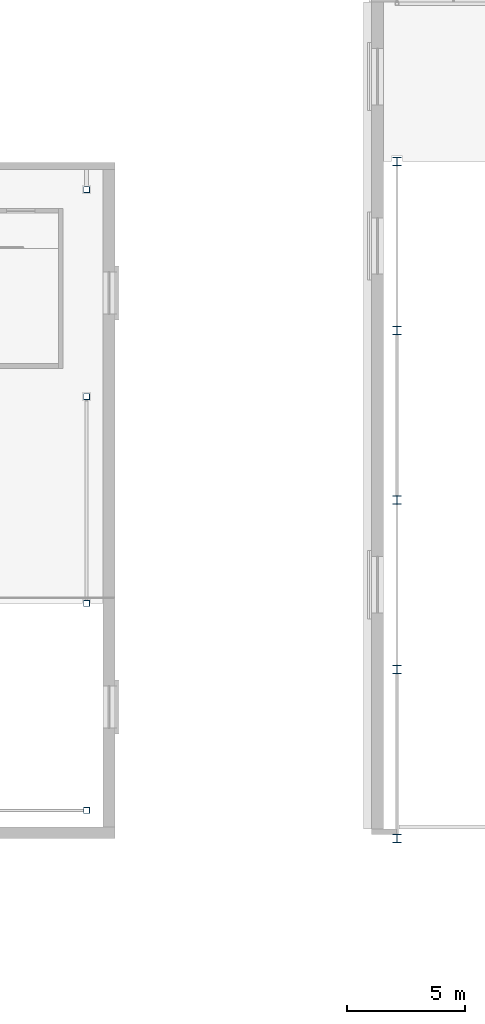
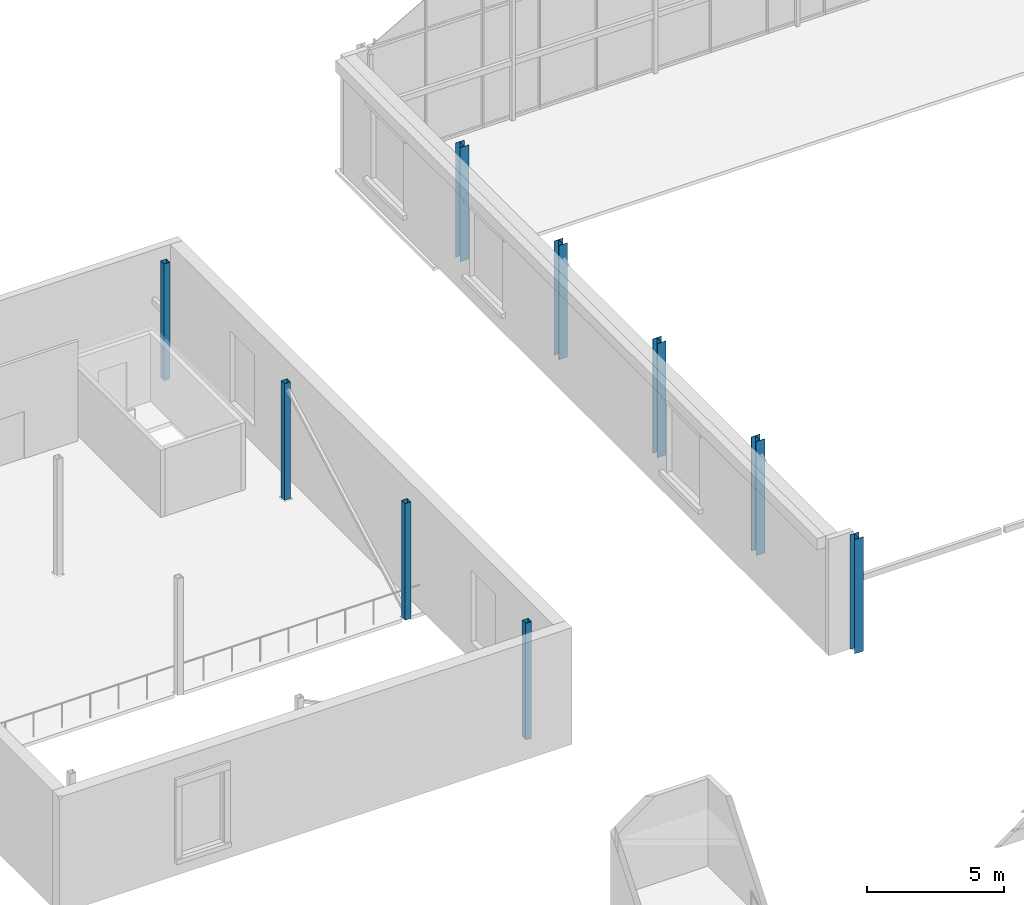
# One storey, part 9 of 93: 9 columns.
"""IFC4 building model written with IfcOpenShell, lengths in metres."""

import ifcopenshell
import ifcopenshell.guid

model = None  # the IFC model being written
_history = None  # IfcOwnerHistory: only IFC2X3 demands one
_inside = {}  # id of a spatial element -> (the spatial element, [elements in it])
_under = {}  # id of a project, library or spatial element -> (it, [spatial elements below it])
_declared = {}  # id of a project -> (the project, [libraries it declares])
_typed = {}  # id of a type object -> (the type object, [elements of that type])
_made_of = {}  # id of a material, layer set ... -> (it, [elements and type objects made of it])


def new_model(schema):
    """Start an empty IFC model of exactly this schema.

    Asked for "IFC4X3", IfcOpenShell would pick the latest addendum, in which some entities
    have other attributes; the version numbers below select the first issue.
    IFC2X3 requires an IfcOwnerHistory on every rooted entity: one is made here for all.
    """
    global model, _history
    if schema == "IFC4X3":
        model = ifcopenshell.file(schema_version=(4, 3, 0, 0))
    else:
        model = ifcopenshell.file(schema=schema)
    _inside.clear()
    _under.clear()
    _declared.clear()
    _typed.clear()
    _made_of.clear()
    _history = None
    if model.schema == "IFC2X3":
        org = make("IfcOrganization", Name="unknown")
        user = make(
            "IfcPersonAndOrganization",
            ThePerson=make("IfcPerson", FamilyName="unknown"),
            TheOrganization=org,
        )
        app = make(
            "IfcApplication",
            ApplicationDeveloper=org,
            Version="unknown",
            ApplicationFullName="unknown",
            ApplicationIdentifier="unknown",
        )
        _history = make(
            "IfcOwnerHistory",
            OwningUser=user,
            OwningApplication=app,
            ChangeAction="ADDED",
            CreationDate=0,
        )
    return model


def make(cls, **values):
    """One entity of the class cls with the attributes given. An attribute that is None is left unset."""
    return model.create_entity(
        cls, **{name: value for name, value in values.items() if value is not None}
    )


def rooted(cls, **values):
    """An entity with a GlobalId (a new one), such as an element, a storey or a relation."""
    return make(cls, GlobalId=ifcopenshell.guid.new(), OwnerHistory=_history, **values)


def si_unit(unit_type, name, prefix=None):
    """IfcSIUnit, for example si_unit("LENGTHUNIT", "METRE", prefix="MILLI")."""
    return make("IfcSIUnit", UnitType=unit_type, Prefix=prefix, Name=name)


def assignment(units):
    """IfcUnitAssignment: the units of a project."""
    return None if units is None else make("IfcUnitAssignment", Units=units)


def point(xyz):
    """IfcCartesianPoint."""
    return None if xyz is None else make("IfcCartesianPoint", Coordinates=xyz)


def direction(xyz):
    """IfcDirection."""
    return None if xyz is None else make("IfcDirection", DirectionRatios=xyz)


def frame(location, z_axis=None, x_axis=None):
    """IfcAxis2Placement3D, a coordinate frame: its origin and axes. An axis left out is left unset."""
    return make(
        "IfcAxis2Placement3D",
        Location=point(location),
        Axis=direction(z_axis),
        RefDirection=direction(x_axis),
    )


def frame_2d(location, x_axis=None):
    """IfcAxis2Placement2D, a coordinate frame in the plane: its origin and x axis."""
    return make(
        "IfcAxis2Placement2D", Location=point(location), RefDirection=direction(x_axis)
    )


def origin():
    """The frame at (0, 0, 0) with its axes left unset."""
    return frame((0.0, 0.0, 0.0))


def origin_2d():
    """The frame at (0, 0) in the plane with its x axis left unset."""
    return frame_2d((0.0, 0.0))


def place(relative_to, where):
    """IfcLocalPlacement: puts the frame where relative to a parent placement (None: the world)."""
    return make(
        "IfcLocalPlacement", PlacementRelTo=relative_to, RelativePlacement=where
    )


def context(
    kind, dimensions, precision=None, world=None, true_north=None, identifier=None
):
    """IfcGeometricRepresentationContext, for example the 3D "Model" context."""
    return make(
        "IfcGeometricRepresentationContext",
        ContextIdentifier=identifier,
        ContextType=kind,
        CoordinateSpaceDimension=dimensions,
        Precision=precision,
        WorldCoordinateSystem=world,
        TrueNorth=true_north,
    )


def subcontext(parent, identifier, kind, view, scale=None):
    """IfcGeometricRepresentationSubContext, for example "Body" below "Model"."""
    return make(
        "IfcGeometricRepresentationSubContext",
        ContextIdentifier=identifier,
        ContextType=kind,
        ParentContext=parent,
        TargetScale=scale,
        TargetView=view,
    )


def project(units=None, contexts=None):
    """IfcProject with its units and contexts."""
    return rooted(
        "IfcProject",
        Name="project",
        RepresentationContexts=contexts,
        UnitsInContext=assignment(units),
    )


def spatial(cls, under=None, at=None, **own):
    """A site, building, storey or space (cls), placed at a placement, below another one or the project."""
    s = rooted(cls, ObjectPlacement=at, **own)
    if under is not None:
        _under.setdefault(under.id(), (under, []))[1].append(s)
    return s


def profile(cls, at=None, kind="AREA", **sizes):
    """A parametric profile (cls). Its sizes go by their IFC names, for example OverallWidth=200.0."""
    return make(cls, ProfileType=kind, Position=at, **sizes)


def hollow_rectangle(**sizes):
    """IfcRectangleHollowProfileDef."""
    return profile("IfcRectangleHollowProfileDef", **sizes)


def i_section(**sizes):
    """IfcIShapeProfileDef."""
    return profile("IfcIShapeProfileDef", **sizes)


def extrude(swept, where, along, depth):
    """IfcExtrudedAreaSolid: the profile swept, set in the frame where, extruded along a direction by depth."""
    return make(
        "IfcExtrudedAreaSolid",
        SweptArea=swept,
        Position=where,
        ExtrudedDirection=direction(along),
        Depth=depth,
    )


def shape(context_of_items, identifier, shape_type, items):
    """IfcShapeRepresentation: the items that make up one representation, for example the "Body"."""
    return make(
        "IfcShapeRepresentation",
        ContextOfItems=context_of_items,
        RepresentationIdentifier=identifier,
        RepresentationType=shape_type,
        Items=items,
    )


def material(Name=None, Category=None):
    """IfcMaterial."""
    return make("IfcMaterial", Name=Name, Category=Category)


def material_profile(
    of_material, cross_section, Name=None, Category=None, Priority=None
):
    """IfcMaterialProfile: a cross section and its material."""
    return make(
        "IfcMaterialProfile",
        Name=Name,
        Material=of_material,
        Profile=cross_section,
        Priority=Priority,
        Category=Category,
    )


def profile_set(profiles, Name=None, composite=None):
    """IfcMaterialProfileSet."""
    return make(
        "IfcMaterialProfileSet",
        Name=Name,
        MaterialProfiles=profiles,
        CompositeProfile=composite,
    )


def made_of(thing, what):
    """Note that an element or type object is made of a material, layer set ...; save() writes the relation."""
    if what is not None:
        _made_of.setdefault(what.id(), (what, []))[1].append(thing)
    return thing


def type_object(cls, material=None, **own):
    """A type object (cls), such as IfcWallType, which elements share."""
    return made_of(rooted(cls, **own), material)


def element(
    cls,
    number,
    at=None,
    inside=None,
    cuts=None,
    type_object=None,
    material=None,
    context=None,
    identifier="Body",
    shape_type=None,
    held_by="IfcProductDefinitionShape",
    body=None,
    shapes=None,
    **own,
):
    """One element of the class cls, such as IfcWall. Its Tag is "e" and its number.

    at: its placement. inside: the storey or other place that contains it. cuts: it is an
    opening in that element (IfcRelVoidsElement). A single representation is given by context,
    identifier, shape_type and body (its items); several are given by shapes. held_by: the class
    of the entity that holds the representations. save() writes the other relations.
    """
    e = rooted(cls, Tag="e%d" % number, ObjectPlacement=at, **own)
    if body is not None:
        shapes = [shape(context, identifier, shape_type, body)]
    if shapes is not None:
        e.Representation = make(held_by, Representations=shapes)
    if inside is not None:
        _inside.setdefault(inside.id(), (inside, []))[1].append(e)
    if cuts is not None:
        rooted(
            "IfcRelVoidsElement", RelatingBuildingElement=cuts, RelatedOpeningElement=e
        )
    if type_object is not None:
        _typed.setdefault(type_object.id(), (type_object, []))[1].append(e)
    return made_of(e, material)


def aggregate(whole, parts):
    """IfcRelAggregates: a whole, such as a stair, and the parts it consists of."""
    return rooted("IfcRelAggregates", RelatingObject=whole, RelatedObjects=parts)


def save(model, path):
    """Write the relations noted so far, then the file.

    IfcRelAggregates (storeys below a building ...), IfcRelContainedInSpatialStructure (elements
    in a storey), IfcRelDefinesByType, IfcRelAssociatesMaterial and IfcRelDeclares: one each for
    every whole, place, type object, material and project.
    """
    for whole, parts in _under.values():
        aggregate(whole, parts)
    for where, things in _inside.values():
        rooted(
            "IfcRelContainedInSpatialStructure",
            RelatedElements=things,
            RelatingStructure=where,
        )
    for kind, things in _typed.values():
        rooted("IfcRelDefinesByType", RelatedObjects=things, RelatingType=kind)
    for what, things in _made_of.values():
        rooted("IfcRelAssociatesMaterial", RelatedObjects=things, RelatingMaterial=what)
    for by, libraries in _declared.values():
        rooted("IfcRelDeclares", RelatingContext=by, RelatedDefinitions=libraries)
    model.write(path)


model = new_model("IFC4")

# Units and contexts
model_context = context("Model", 3, precision=1e-05, world=origin(), true_north=direction((0.0, 1.0)))
body_context = subcontext(model_context, "Body", "Model", "MODEL_VIEW")
ifc_project = project(units=[si_unit("LENGTHUNIT", "METRE"), si_unit("AREAUNIT", "SQUARE_METRE"), si_unit("VOLUMEUNIT", "CUBIC_METRE"), si_unit("PLANEANGLEUNIT", "RADIAN"), si_unit("MASSUNIT", "GRAM", prefix="KILO")], contexts=[model_context])

# Site, building, storey
site_placement = place(None, origin())
site = spatial("IfcSite", under=ifc_project, at=site_placement, CompositionType="ELEMENT")
building_placement = place(site_placement, origin())
building = spatial("IfcBuilding", under=site, at=building_placement, Name="Verrick Yard Athletic Hall", CompositionType="ELEMENT")
storey_placement = place(building_placement, frame((0.0, 0.0, 8.800048828125)))
storey = spatial("IfcBuildingStorey", under=building, at=storey_placement, Name="L02", CompositionType="ELEMENT", Elevation=8.800048828125)

# Columns
ifc_material_1 = material(Name="Structural steel HSS Class C 350W (CSA G40.20/G40.21)", Category="steel")
ifc_material_profile_1 = material_profile(ifc_material_1, hollow_rectangle(XDim=0.25390625, YDim=0.25390625, WallThickness=0.0126953125, at=origin_2d()), Name="HSS254x254x13")
ifc_profile_set_1 = profile_set([ifc_material_profile_1], Name="Structural steel HSS Class C 350W (CSA G40.20/G40.21)")
column_type_1 = type_object("IfcColumnType", Name="HB column HSS254x254x13", PredefinedType="COLUMN", material=ifc_profile_set_1)
for number, where, z_axis, x_axis, name in (
    (1, (108.39990234375, 73.199951171875, 0.0), (0.0, 0.0, 1.0), (1.0, 0.0, 0.0), "HB-C-CH31-L02"),
    (2, (108.39990234375, 82.0, 0.0), (0.0, 0.0, 1.0), (1.0, 0.0, 0.0), "HB-C-CH32-L02"),
    (3, (108.39990234375, 90.800048828125, 0.0), (0.0, 0.0, 1.0), (1.0, 0.0, 0.0), "HB-C-CH33-L02"),
    (4, (108.39990234375, 99.60009765625, 0.0), (0.0, 0.0, 1.0), (1.0, 0.0, 0.0), "HB-C-CH34-L02"),
):
    element("IfcColumn", number, at=place(storey_placement, frame(where, z_axis=z_axis, x_axis=x_axis)), inside=storey, type_object=column_type_1, Name=name, PredefinedType="COLUMN", context=body_context, shape_type="SweptSolid", body=[
        extrude(hollow_rectangle(XDim=0.25390625, YDim=0.25390625, WallThickness=0.0126953125, at=origin_2d()), origin(), (0.0, 0.0, 1.0), 5.199951171875),
    ])
ifc_material_2 = material(Name="Structural steel 350W (CSA G40.21)", Category="steel")
ifc_material_profile_2 = material_profile(ifc_material_2, i_section(OverallWidth=0.368896484375, OverallDepth=0.35595703125, WebThickness=0.01123046875, FlangeThickness=0.01806640625, at=origin_2d()), Name="W360x134")
ifc_profile_set_2 = profile_set([ifc_material_profile_2], Name="Structural steel 350W (CSA G40.21)")
column_type_2 = type_object("IfcColumnType", Name="HB column W360x134", PredefinedType="COLUMN", material=ifc_profile_set_2)
for number, where, z_axis, x_axis, name in (
    (5, (121.60009765625, 72.0, 0.0), (0.0, 0.0, 1.0), (1.0, 0.0, 0.0), "HB-C-HAW1-L02"),
    (6, (121.60009765625, 79.199951171875, 0.0), (0.0, 0.0, 1.0), (1.0, 0.0, 0.0), "HB-C-HAW2-L02"),
    (7, (121.60009765625, 86.39990234375, 0.0), (0.0, 0.0, 1.0), (1.0, 0.0, 0.0), "HB-C-HAW3-L02"),
    (8, (121.60009765625, 93.60009765625, 0.0), (0.0, 0.0, 1.0), (1.0, 0.0, 0.0), "HB-C-HAW4-L02"),
    (9, (121.60009765625, 100.800048828125, 0.0), (0.0, 0.0, 1.0), (1.0, 0.0, 0.0), "HB-C-HAW5-L02"),
):
    element("IfcColumn", number, at=place(storey_placement, frame(where, z_axis=z_axis, x_axis=x_axis)), inside=storey, type_object=column_type_2, Name=name, PredefinedType="COLUMN", context=body_context, shape_type="SweptSolid", body=[
        extrude(i_section(OverallWidth=0.368896484375, OverallDepth=0.35595703125, WebThickness=0.01123046875, FlangeThickness=0.01806640625, at=origin_2d()), origin(), (0.0, 0.0, 1.0), 5.089111328125),
    ])

save(model, "model.ifc")
